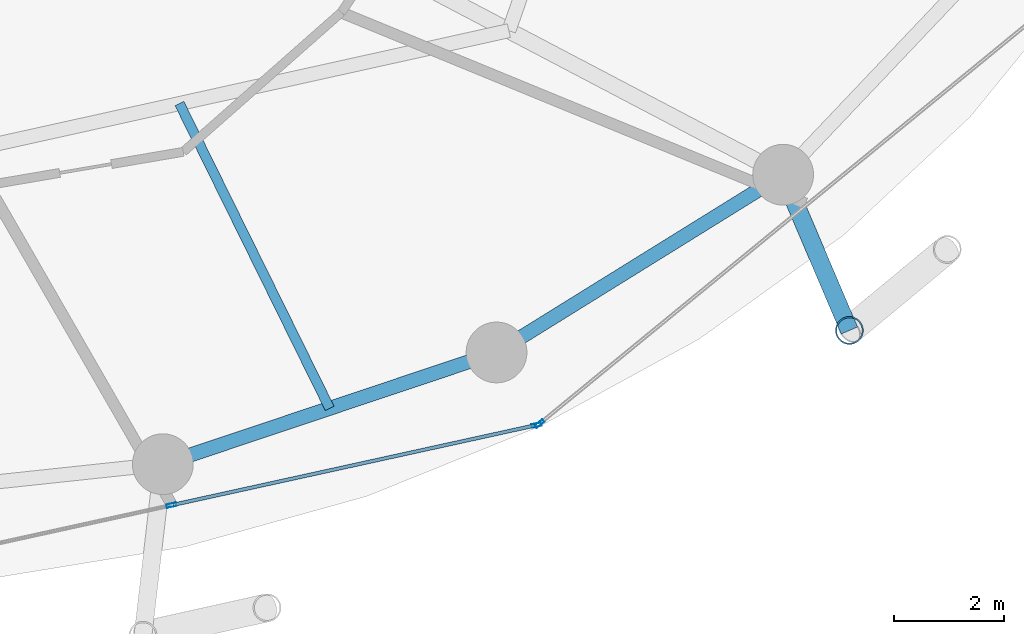
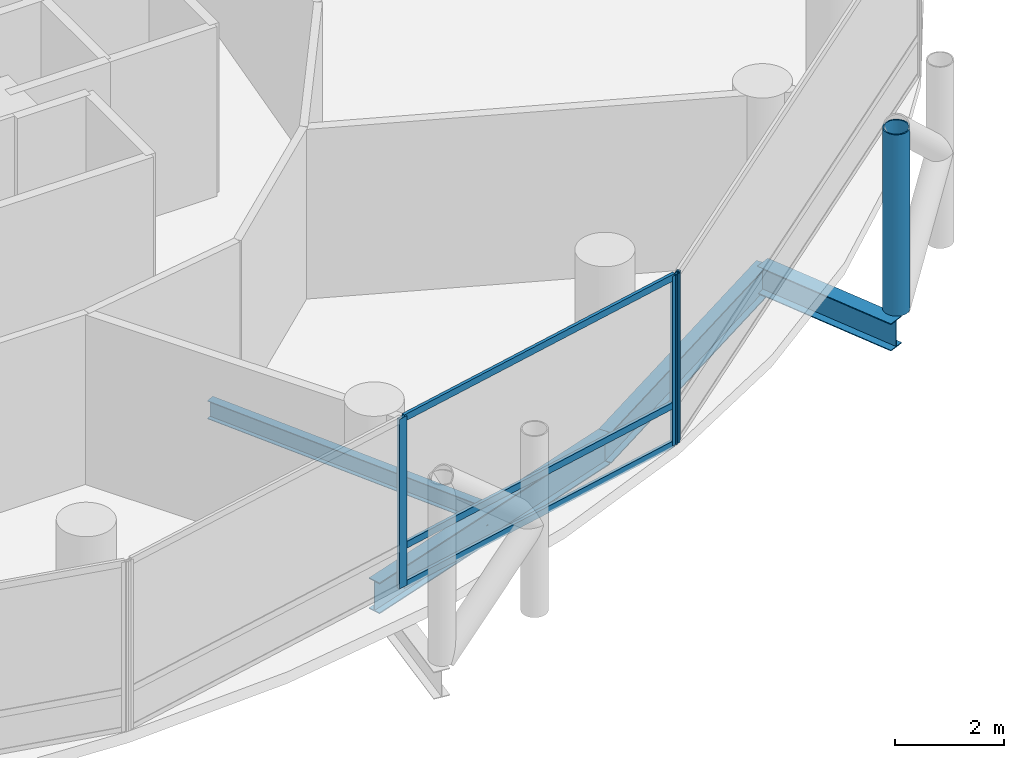
# One storey, part 8 of 24: 7 members, 4 beams, 2 elements without a shape of their own.
"""IFC4 building model written with IfcOpenShell, lengths in metres."""

import ifcopenshell
import ifcopenshell.guid

model = None  # the IFC model being written
_history = None  # IfcOwnerHistory: only IFC2X3 demands one
_inside = {}  # id of a spatial element -> (the spatial element, [elements in it])
_under = {}  # id of a project, library or spatial element -> (it, [spatial elements below it])
_declared = {}  # id of a project -> (the project, [libraries it declares])
_typed = {}  # id of a type object -> (the type object, [elements of that type])
_made_of = {}  # id of a material, layer set ... -> (it, [elements and type objects made of it])


def new_model(schema):
    """Start an empty IFC model of exactly this schema.

    Asked for "IFC4X3", IfcOpenShell would pick the latest addendum, in which some entities
    have other attributes; the version numbers below select the first issue.
    IFC2X3 requires an IfcOwnerHistory on every rooted entity: one is made here for all.
    """
    global model, _history
    if schema == "IFC4X3":
        model = ifcopenshell.file(schema_version=(4, 3, 0, 0))
    else:
        model = ifcopenshell.file(schema=schema)
    _inside.clear()
    _under.clear()
    _declared.clear()
    _typed.clear()
    _made_of.clear()
    _history = None
    if model.schema == "IFC2X3":
        org = make("IfcOrganization", Name="unknown")
        user = make(
            "IfcPersonAndOrganization",
            ThePerson=make("IfcPerson", FamilyName="unknown"),
            TheOrganization=org,
        )
        app = make(
            "IfcApplication",
            ApplicationDeveloper=org,
            Version="unknown",
            ApplicationFullName="unknown",
            ApplicationIdentifier="unknown",
        )
        _history = make(
            "IfcOwnerHistory",
            OwningUser=user,
            OwningApplication=app,
            ChangeAction="ADDED",
            CreationDate=0,
        )
    return model


def make(cls, **values):
    """One entity of the class cls with the attributes given. An attribute that is None is left unset."""
    return model.create_entity(
        cls, **{name: value for name, value in values.items() if value is not None}
    )


def rooted(cls, **values):
    """An entity with a GlobalId (a new one), such as an element, a storey or a relation."""
    return make(cls, GlobalId=ifcopenshell.guid.new(), OwnerHistory=_history, **values)


def si_unit(unit_type, name, prefix=None):
    """IfcSIUnit, for example si_unit("LENGTHUNIT", "METRE", prefix="MILLI")."""
    return make("IfcSIUnit", UnitType=unit_type, Prefix=prefix, Name=name)


def assignment(units):
    """IfcUnitAssignment: the units of a project."""
    return None if units is None else make("IfcUnitAssignment", Units=units)


def point(xyz):
    """IfcCartesianPoint."""
    return None if xyz is None else make("IfcCartesianPoint", Coordinates=xyz)


def direction(xyz):
    """IfcDirection."""
    return None if xyz is None else make("IfcDirection", DirectionRatios=xyz)


def frame(location, z_axis=None, x_axis=None):
    """IfcAxis2Placement3D, a coordinate frame: its origin and axes. An axis left out is left unset."""
    return make(
        "IfcAxis2Placement3D",
        Location=point(location),
        Axis=direction(z_axis),
        RefDirection=direction(x_axis),
    )


def frame_2d(location, x_axis=None):
    """IfcAxis2Placement2D, a coordinate frame in the plane: its origin and x axis."""
    return make(
        "IfcAxis2Placement2D", Location=point(location), RefDirection=direction(x_axis)
    )


def origin():
    """The frame at (0, 0, 0) with its axes left unset."""
    return frame((0.0, 0.0, 0.0))


def origin_2d():
    """The frame at (0, 0) in the plane with its x axis left unset."""
    return frame_2d((0.0, 0.0))


def place(relative_to, where):
    """IfcLocalPlacement: puts the frame where relative to a parent placement (None: the world)."""
    return make(
        "IfcLocalPlacement", PlacementRelTo=relative_to, RelativePlacement=where
    )


def context(
    kind, dimensions, precision=None, world=None, true_north=None, identifier=None
):
    """IfcGeometricRepresentationContext, for example the 3D "Model" context."""
    return make(
        "IfcGeometricRepresentationContext",
        ContextIdentifier=identifier,
        ContextType=kind,
        CoordinateSpaceDimension=dimensions,
        Precision=precision,
        WorldCoordinateSystem=world,
        TrueNorth=true_north,
    )


def subcontext(parent, identifier, kind, view, scale=None):
    """IfcGeometricRepresentationSubContext, for example "Body" below "Model"."""
    return make(
        "IfcGeometricRepresentationSubContext",
        ContextIdentifier=identifier,
        ContextType=kind,
        ParentContext=parent,
        TargetScale=scale,
        TargetView=view,
    )


def project(units=None, contexts=None):
    """IfcProject with its units and contexts."""
    return rooted(
        "IfcProject",
        Name="project",
        RepresentationContexts=contexts,
        UnitsInContext=assignment(units),
    )


def spatial(cls, under=None, at=None, **own):
    """A site, building, storey or space (cls), placed at a placement, below another one or the project."""
    s = rooted(cls, ObjectPlacement=at, **own)
    if under is not None:
        _under.setdefault(under.id(), (under, []))[1].append(s)
    return s


def profile(cls, at=None, kind="AREA", **sizes):
    """A parametric profile (cls). Its sizes go by their IFC names, for example OverallWidth=200.0."""
    return make(cls, ProfileType=kind, Position=at, **sizes)


def hollow_rectangle(**sizes):
    """IfcRectangleHollowProfileDef."""
    return profile("IfcRectangleHollowProfileDef", **sizes)


def hollow_circle(**sizes):
    """IfcCircleHollowProfileDef."""
    return profile("IfcCircleHollowProfileDef", **sizes)


def i_section(**sizes):
    """IfcIShapeProfileDef."""
    return profile("IfcIShapeProfileDef", **sizes)


def extrude(swept, where, along, depth):
    """IfcExtrudedAreaSolid: the profile swept, set in the frame where, extruded along a direction by depth."""
    return make(
        "IfcExtrudedAreaSolid",
        SweptArea=swept,
        Position=where,
        ExtrudedDirection=direction(along),
        Depth=depth,
    )


def shape(context_of_items, identifier, shape_type, items):
    """IfcShapeRepresentation: the items that make up one representation, for example the "Body"."""
    return make(
        "IfcShapeRepresentation",
        ContextOfItems=context_of_items,
        RepresentationIdentifier=identifier,
        RepresentationType=shape_type,
        Items=items,
    )


def material(Name=None, Category=None):
    """IfcMaterial."""
    return make("IfcMaterial", Name=Name, Category=Category)


def layer(
    of_material, thickness, ventilated=None, Name=None, Category=None, Priority=None
):
    """IfcMaterialLayer: one layer of a wall or slab, of a material (None: an air gap)."""
    return make(
        "IfcMaterialLayer",
        Material=of_material,
        LayerThickness=thickness,
        IsVentilated=ventilated,
        Name=Name,
        Category=Category,
        Priority=Priority,
    )


def layer_set(layers, Name=None):
    """IfcMaterialLayerSet."""
    return make("IfcMaterialLayerSet", MaterialLayers=layers, LayerSetName=Name)


def material_profile(
    of_material, cross_section, Name=None, Category=None, Priority=None
):
    """IfcMaterialProfile: a cross section and its material."""
    return make(
        "IfcMaterialProfile",
        Name=Name,
        Material=of_material,
        Profile=cross_section,
        Priority=Priority,
        Category=Category,
    )


def profile_set(profiles, Name=None, composite=None):
    """IfcMaterialProfileSet."""
    return make(
        "IfcMaterialProfileSet",
        Name=Name,
        MaterialProfiles=profiles,
        CompositeProfile=composite,
    )


def made_of(thing, what):
    """Note that an element or type object is made of a material, layer set ...; save() writes the relation."""
    if what is not None:
        _made_of.setdefault(what.id(), (what, []))[1].append(thing)
    return thing


def type_object(cls, material=None, **own):
    """A type object (cls), such as IfcWallType, which elements share."""
    return made_of(rooted(cls, **own), material)


def element(
    cls,
    number,
    at=None,
    inside=None,
    cuts=None,
    type_object=None,
    material=None,
    context=None,
    identifier="Body",
    shape_type=None,
    held_by="IfcProductDefinitionShape",
    body=None,
    shapes=None,
    **own,
):
    """One element of the class cls, such as IfcWall. Its Tag is "e" and its number.

    at: its placement. inside: the storey or other place that contains it. cuts: it is an
    opening in that element (IfcRelVoidsElement). A single representation is given by context,
    identifier, shape_type and body (its items); several are given by shapes. held_by: the class
    of the entity that holds the representations. save() writes the other relations.
    """
    e = rooted(cls, Tag="e%d" % number, ObjectPlacement=at, **own)
    if body is not None:
        shapes = [shape(context, identifier, shape_type, body)]
    if shapes is not None:
        e.Representation = make(held_by, Representations=shapes)
    if inside is not None:
        _inside.setdefault(inside.id(), (inside, []))[1].append(e)
    if cuts is not None:
        rooted(
            "IfcRelVoidsElement", RelatingBuildingElement=cuts, RelatedOpeningElement=e
        )
    if type_object is not None:
        _typed.setdefault(type_object.id(), (type_object, []))[1].append(e)
    return made_of(e, material)


def aggregate(whole, parts):
    """IfcRelAggregates: a whole, such as a stair, and the parts it consists of."""
    return rooted("IfcRelAggregates", RelatingObject=whole, RelatedObjects=parts)


def save(model, path):
    """Write the relations noted so far, then the file.

    IfcRelAggregates (storeys below a building ...), IfcRelContainedInSpatialStructure (elements
    in a storey), IfcRelDefinesByType, IfcRelAssociatesMaterial and IfcRelDeclares: one each for
    every whole, place, type object, material and project.
    """
    for whole, parts in _under.values():
        aggregate(whole, parts)
    for where, things in _inside.values():
        rooted(
            "IfcRelContainedInSpatialStructure",
            RelatedElements=things,
            RelatingStructure=where,
        )
    for kind, things in _typed.values():
        rooted("IfcRelDefinesByType", RelatedObjects=things, RelatingType=kind)
    for what, things in _made_of.values():
        rooted("IfcRelAssociatesMaterial", RelatedObjects=things, RelatingMaterial=what)
    for by, libraries in _declared.values():
        rooted("IfcRelDeclares", RelatingContext=by, RelatedDefinitions=libraries)
    model.write(path)


model = new_model("IFC4")

# Units and contexts
model_context = context("Model", 3, precision=1e-05, world=origin(), true_north=direction((0.0, 1.0)))
body_context = subcontext(model_context, "Body", "Model", "MODEL_VIEW")
ifc_project = project(units=[si_unit("LENGTHUNIT", "METRE"), si_unit("AREAUNIT", "SQUARE_METRE"), si_unit("VOLUMEUNIT", "CUBIC_METRE"), si_unit("PLANEANGLEUNIT", "RADIAN"), si_unit("MASSUNIT", "GRAM", prefix="KILO")], contexts=[model_context])

# Site, building, storey
site_placement = place(None, origin())
site = spatial("IfcSite", under=ifc_project, at=site_placement, CompositionType="ELEMENT")
building_placement = place(site_placement, origin())
building = spatial("IfcBuilding", under=site, at=building_placement, Name="Nuhasar Tower", CompositionType="ELEMENT")
storey_placement = place(building_placement, frame((0.0, 0.0, 29.10009765625)))
storey = spatial("IfcBuildingStorey", under=building, at=storey_placement, Name="L06", CompositionType="ELEMENT", Elevation=29.10009765625)

# Beams
ifc_material_1 = material(Name="Steel S355", Category="steel")
ifc_material_profile_1 = material_profile(ifc_material_1, i_section(OverallWidth=0.177978515625, OverallDepth=0.406005859375, WebThickness=0.0078125, FlangeThickness=0.0126953125, at=origin_2d()), Name="W16X40")
ifc_profile_set_1 = profile_set([ifc_material_profile_1], Name="Steel S355")
beam_type_1 = type_object("IfcBeamType", Name="BM-JST-W16X40", PredefinedType="JOIST", material=ifc_profile_set_1)
beam_1_placement = place(storey_placement, frame((45.783935546875, 13.77001953125, -0.463134765625), z_axis=(0.442126747458, -0.89695258469, 0.0), x_axis=(0.89695258469, 0.442126747458, 0.0)))
element("IfcBeam", 1, at=beam_1_placement, inside=storey, type_object=beam_type_1, Name="L06 Secondary Floor Joist 02", PredefinedType="JOIST", context=body_context, shape_type="SweptSolid", body=[
    extrude(i_section(OverallWidth=0.177978515625, OverallDepth=0.406005859375, WebThickness=0.0078125, FlangeThickness=0.0126953125, at=origin_2d()), origin(), (0.0, 0.0, 1.0), 6.152099609375),
])
ifc_material_profile_2 = material_profile(ifc_material_1, i_section(OverallWidth=0.256103515625, OverallDepth=0.693115234375, WebThickness=0.014404296875, FlangeThickness=0.023681640625, at=origin_2d()), Name="W27X114")
ifc_profile_set_2 = profile_set([ifc_material_profile_2], Name="Steel S355")
beam_type_2 = type_object("IfcBeamType", Name="BM-RING-W27X114", PredefinedType="SPANDREL", material=ifc_profile_set_2)
beam_2_placement = place(storey_placement, frame((45.48291015625, 7.239990234375, -0.606201171875), z_axis=(0.94826097201, 0.317491935271, 0.0), x_axis=(-0.317491935271, 0.94826097201, 0.0)))
element("IfcBeam", 2, at=beam_2_placement, inside=storey, type_object=beam_type_2, Name="L06 Perimeter Ring Spandrel 20", PredefinedType="SPANDREL", context=body_context, shape_type="SweptSolid", body=[
    extrude(i_section(OverallWidth=0.256103515625, OverallDepth=0.693115234375, WebThickness=0.014404296875, FlangeThickness=0.023681640625, at=origin_2d()), origin(), (0.0, 0.0, 1.0), 6.37158203125),
])
beam_3_placement = place(storey_placement, frame((51.52490234375, 9.262939453125, -0.606201171875), z_axis=(0.849795216549, 0.527112976439, 0.0), x_axis=(-0.527112976439, 0.849795216549, 0.0)))
element("IfcBeam", 3, at=beam_3_placement, inside=storey, type_object=beam_type_2, Name="L06 Perimeter Ring Spandrel 21", PredefinedType="SPANDREL", context=body_context, shape_type="SweptSolid", body=[
    extrude(i_section(OverallWidth=0.256103515625, OverallDepth=0.693115234375, WebThickness=0.014404296875, FlangeThickness=0.023681640625, at=origin_2d()), origin(), (0.0, 0.0, 1.0), 6.10498046875),
])
ifc_material_profile_3 = material_profile(ifc_material_1, i_section(OverallWidth=0.323974609375, OverallDepth=0.611083984375, WebThickness=0.0126953125, FlangeThickness=0.01904296875, at=origin_2d()), Name="W24X104")
ifc_profile_set_3 = profile_set([ifc_material_profile_3], Name="Steel S355")
beam_type_3 = type_object("IfcBeamType", Name="BM-TIE-W24X104", PredefinedType="BEAM", material=ifc_profile_set_3)
beam_4_placement = place(storey_placement, frame((56.712890625, 12.48095703125, -0.565185546875), z_axis=(0.391601084021, -0.920135093882, 0.0), x_axis=(0.920135093882, 0.391601084021, 0.0)))
element("IfcBeam", 4, at=beam_4_placement, inside=storey, type_object=beam_type_3, Name="L06 Exoskeleton Node Tie Beam 11", PredefinedType="BEAM", context=body_context, shape_type="SweptSolid", body=[
    extrude(i_section(OverallWidth=0.323974609375, OverallDepth=0.611083984375, WebThickness=0.0126953125, FlangeThickness=0.01904296875, at=origin_2d()), origin(), (0.0, 0.0, 1.0), 3.06494140625),
])

# Curtain wall, members
ifc_material_2 = material(Name="Aluminium 6063-T6", Category="aluminium")
ifc_layer = layer(ifc_material_2, 0.199951171875)
ifc_layer_set = layer_set([ifc_layer], Name="Aluminium 6063-T6")
curtain_wall_type = type_object("IfcCurtainWallType", Name="CW-Z1-OFF", PredefinedType="NOTDEFINED", material=ifc_layer_set)
curtain_wall_1_placement = place(storey_placement, origin())
curtain_wall_1 = element("IfcCurtainWall", 5, at=curtain_wall_1_placement, inside=storey, type_object=curtain_wall_type, Name="L06 Unitised Curtain Wall 10", PredefinedType="NOTDEFINED")
ifc_material_profile_4 = material_profile(ifc_material_2, hollow_rectangle(XDim=0.06494140625, YDim=0.179931640625, WallThickness=0.0048828125, at=origin_2d()), Name="CWM-2")
ifc_profile_set_4 = profile_set([ifc_material_profile_4], Name="Aluminium 6063-T6")
member_type_1 = type_object("IfcMemberType", Name="CW-MUL-S2", PredefinedType="MULLION", material=ifc_profile_set_4)
member_1_placement = place(storey_placement, frame((45.639892578125, 6.49755859375, 0.0), z_axis=(0.0, 0.0, 1.0), x_axis=(-0.214398737637, 0.976746221544, 0.0)))
member_1 = element("IfcMember", 6, at=member_1_placement, type_object=member_type_1, Name="CW-Z1 mullion 2", PredefinedType="MULLION", context=body_context, shape_type="SweptSolid", body=[
    extrude(hollow_rectangle(XDim=0.06494140625, YDim=0.179931640625, WallThickness=0.0048828125, at=origin_2d()), origin(), (0.0, 0.0, 1.0), 3.789794921875),
])
member_2_placement = place(storey_placement, frame((52.248291015625, 7.947998046875, 0.0), z_axis=(0.0, 0.0, 1.0), x_axis=(-0.214398737637, 0.976746221544, 0.0)))
member_2 = element("IfcMember", 7, at=member_2_placement, type_object=member_type_1, Name="CW-Z1 mullion 3", PredefinedType="MULLION", context=body_context, shape_type="SweptSolid", body=[
    extrude(hollow_rectangle(XDim=0.06494140625, YDim=0.179931640625, WallThickness=0.0048828125, at=origin_2d()), origin(), (0.0, 0.0, 1.0), 3.789794921875),
])

# Curtain wall, member
curtain_wall_2_placement = place(storey_placement, origin())
curtain_wall_2 = element("IfcCurtainWall", 8, at=curtain_wall_2_placement, inside=storey, type_object=curtain_wall_type, Name="L06 Unitised Curtain Wall 11", PredefinedType="NOTDEFINED")
member_3_placement = place(storey_placement, frame((52.30517578125, 7.9755859375, 0.0), z_axis=(0.0, 0.0, 1.0), x_axis=(-0.633744593376, 0.773542364946, 0.0)))
member_3 = element("IfcMember", 9, at=member_3_placement, type_object=member_type_1, Name="CW-Z1 mullion 1", PredefinedType="MULLION", context=body_context, shape_type="SweptSolid", body=[
    extrude(hollow_rectangle(XDim=0.06494140625, YDim=0.179931640625, WallThickness=0.0048828125, at=origin_2d()), origin(), (0.0, 0.0, 1.0), 3.789794921875),
])
aggregate(curtain_wall_2, [member_3])

# Member
ifc_material_profile_5 = material_profile(ifc_material_2, hollow_rectangle(XDim=0.06494140625, YDim=0.14990234375, WallThickness=0.00439453125, at=origin_2d()), Name="CWT-2")
ifc_profile_set_5 = profile_set([ifc_material_profile_5], Name="Aluminium 6063-T6")
member_type_2 = type_object("IfcMemberType", Name="CW-TRN-S2", PredefinedType="USERDEFINED", material=ifc_profile_set_5)
member_4_placement = place(storey_placement, frame((45.671630859375, 6.50439453125, 0.032470703125), z_axis=(0.976741923778, 0.214418316228, 0.0), x_axis=(-0.214418316228, 0.976741923778, 0.0)))
member_4 = element("IfcMember", 10, at=member_4_placement, type_object=member_type_2, Name="CW-Z1 transom 2.1", ObjectType="TRANSOM", PredefinedType="USERDEFINED", context=body_context, shape_type="SweptSolid", body=[
    extrude(hollow_rectangle(XDim=0.06494140625, YDim=0.14990234375, WallThickness=0.00439453125, at=origin_2d()), origin(), (0.0, 0.0, 1.0), 6.70068359375),
])

member_5_placement = place(storey_placement, frame((45.671630859375, 6.50439453125, 0.89990234375), z_axis=(0.976741923778, 0.214418316228, 0.0), x_axis=(-0.214418316228, 0.976741923778, 0.0)))
member_5 = element("IfcMember", 11, at=member_5_placement, type_object=member_type_2, Name="CW-Z1 transom 2.2", ObjectType="TRANSOM", PredefinedType="USERDEFINED", context=body_context, shape_type="SweptSolid", body=[
    extrude(hollow_rectangle(XDim=0.06494140625, YDim=0.14990234375, WallThickness=0.00439453125, at=origin_2d()), origin(), (0.0, 0.0, 1.0), 6.70068359375),
])

member_6_placement = place(storey_placement, frame((45.671630859375, 6.50439453125, 3.75732421875), z_axis=(0.976741923778, 0.214418316228, 0.0), x_axis=(-0.214418316228, 0.976741923778, 0.0)))
member_6 = element("IfcMember", 12, at=member_6_placement, type_object=member_type_2, Name="CW-Z1 transom 2.3", ObjectType="TRANSOM", PredefinedType="USERDEFINED", context=body_context, shape_type="SweptSolid", body=[
    extrude(hollow_rectangle(XDim=0.06494140625, YDim=0.14990234375, WallThickness=0.00439453125, at=origin_2d()), origin(), (0.0, 0.0, 1.0), 6.70068359375),
])

aggregate(curtain_wall_1, [member_1, member_2, member_4, member_5, member_6])

ifc_material_3 = material(Name="Steel S460", Category="steel")
ifc_material_profile_6 = material_profile(ifc_material_3, hollow_circle(Radius=0.25390625, WallThickness=0.025390625, at=origin_2d()), Name="HSS508X25.4")
ifc_profile_set_6 = profile_set([ifc_material_profile_6], Name="Steel S460")
member_type_3 = type_object("IfcMemberType", Name="EXO-BRONZE-508", PredefinedType="BRACE", material=ifc_profile_set_6)
member_7_placement = place(storey_placement, frame((57.9130859375, 9.660888671875, 0.0), z_axis=(0.0, 0.0, 1.0), x_axis=(1.0, 0.0, 0.0)))
element("IfcMember", 13, at=member_7_placement, inside=storey, type_object=member_type_3, Name="L06 Exoskeleton Chord Column EC-11A", PredefinedType="BRACE", context=body_context, shape_type="SweptSolid", body=[
    extrude(hollow_circle(Radius=0.25390625, WallThickness=0.025390625, at=origin_2d()), origin(), (0.0, 0.0, 1.0), 4.0498046875),
])

save(model, "model.ifc")
